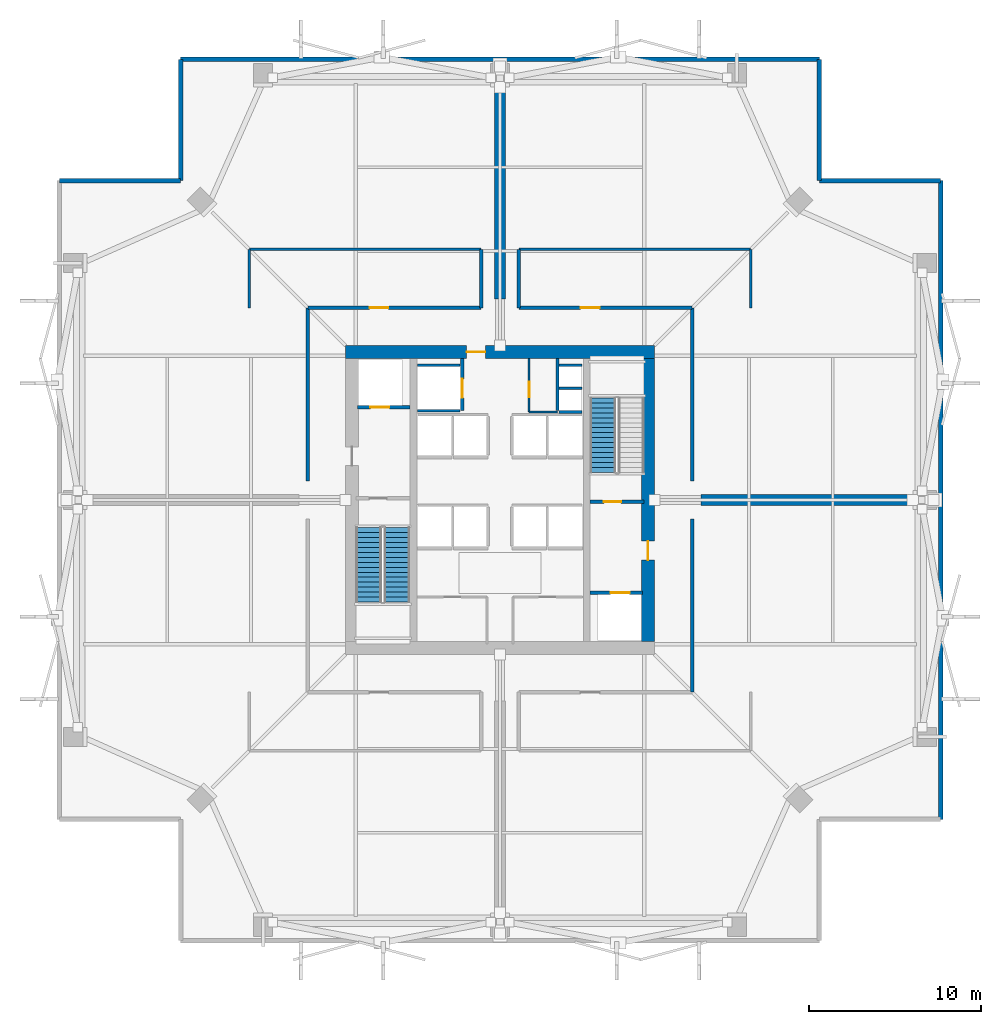
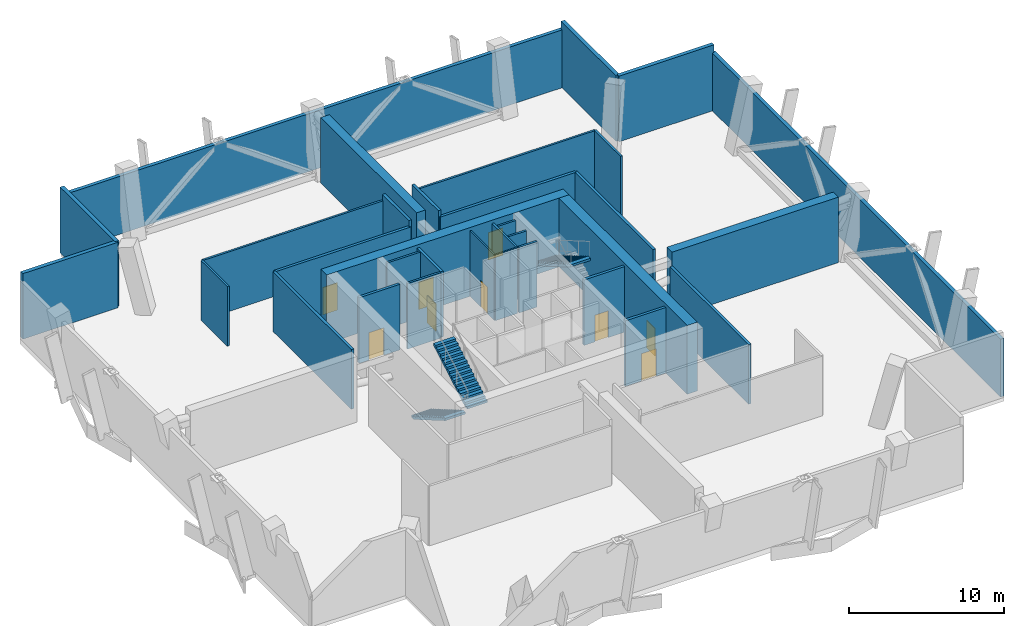
# One storey, part 4 of 6: 33 walls, 9 doors, 3 stair flights, 9 openings, 2 elements without a shape of their own.
"""IFC4 building model written with IfcOpenShell, lengths in metres."""

from ifc_helpers import new_model, si_unit, direction, frame, frame_2d, origin, place, context, subcontext, project, spatial, polyline, rectangle, outline, extrude, material, layer, layer_set, type_object, element, fill, aggregate, save


model = new_model("IFC4")

# Units and contexts
model_context = context("Model", 3, precision=1e-05, world=origin(), true_north=direction((0.0, 1.0)))
body_context = subcontext(model_context, "Body", "Model", "MODEL_VIEW")
ifc_project = project(units=[si_unit("LENGTHUNIT", "METRE"), si_unit("AREAUNIT", "SQUARE_METRE"), si_unit("VOLUMEUNIT", "CUBIC_METRE"), si_unit("PLANEANGLEUNIT", "RADIAN"), si_unit("MASSUNIT", "GRAM", prefix="KILO")], contexts=[model_context])

# Site, building, storey
site_placement = place(None, origin())
site = spatial("IfcSite", under=ifc_project, at=site_placement, CompositionType="ELEMENT")
building_placement = place(site_placement, origin())
building = spatial("IfcBuilding", under=site, at=building_placement, Name="Belovzor Exchange Tower", CompositionType="ELEMENT")
storey_placement = place(building_placement, frame((0.0, 0.0, 194.550048828125)))
storey = spatial("IfcBuildingStorey", under=building, at=storey_placement, Name="L48", CompositionType="ELEMENT", Elevation=194.550048828125)

# Wall, opening, door
ifc_material_1 = material(Name="Fire-Rated Plasterboard on Galvanised Studs", Category="gypsum")
ifc_layer_1 = layer(ifc_material_1, 0.1201171875)
ifc_layer_set_1 = layer_set([ifc_layer_1], Name="Fire-Rated Plasterboard on Galvanised Studs")
wall_type_1 = type_object("IfcWallType", Name="Fire-Rated Double-Stud Partition Wall 120", PredefinedType="PARTITIONING", material=ifc_layer_set_1)
wall_1_placement = place(storey_placement, frame((30.5, 33.925048828125, 0.0), z_axis=(0.0, 0.0, 1.0), x_axis=(0.0, 1.0, 0.0)))
wall_1 = element("IfcWall", 1, at=wall_1_placement, inside=storey, type_object=wall_type_1, Name="W-P120F Partition Wall W-CRV-L48-W", PredefinedType="PARTITIONING", context=body_context, shape_type="SweptSolid", body=[
    extrude(rectangle(XDim=3.125, YDim=0.1201171875, at=frame_2d((1.5625, 0.0))), origin(), (0.0, 0.0, 1.0), 5.14990234375),
])
opening_1_placement = place(wall_1_placement, frame((0.85009765625, 0.0, 0.0)))
opening_1 = element("IfcOpeningElement", 2, at=opening_1_placement, cuts=wall_1, Name="Opening D-FD60-090", PredefinedType="OPENING", context=body_context, shape_type="SweptSolid", body=[
    extrude(rectangle(XDim=0.89990234375, YDim=2.10009765625, at=frame_2d((0.449951171875, 1.050048828125))), frame((0.0, 0.070068359375, 0.0), z_axis=(0.0, -1.0, 0.0), x_axis=(1.0, 0.0, 0.0)), (0.0, 0.0, 1.0), 0.14013671875),
])
ifc_material_2 = material(Name="Acoustic Timber Fire Leaf", Category="wood")
door_type_1 = type_object("IfcDoorType", Name="Core Service & Restroom Fire Door 900x2100", OperationType="NOTDEFINED", PredefinedType="DOOR", material=ifc_material_2)
door_1_placement = place(opening_1_placement, origin())
door_1 = element("IfcDoor", 3, at=door_1_placement, inside=storey, type_object=door_type_1, Name="D-FD60-090 Core Service & Restroom Fire Door 900x2100", OperationType="SINGLE_SWING_LEFT", OverallHeight=2.10009765625, OverallWidth=0.89990234375, PredefinedType="DOOR", context=body_context, shape_type="SweptSolid", body=[
    extrude(rectangle(XDim=0.89990234375, YDim=2.10009765625, at=frame_2d((0.449951171875, 1.050048828125))), frame((0.0, 0.02490234375, 0.0), z_axis=(0.0, -1.0, 0.0), x_axis=(1.0, 0.0, 0.0)), (0.0, 0.0, 1.0), 0.050048828125),
])
fill(opening_1, door_1)

# Walls
wall_2_placement = place(storey_placement, frame((30.5, 33.925048828125, 0.0), z_axis=(0.0, 0.0, 1.0), x_axis=(1.0, 0.0, 0.0)))
element("IfcWall", 4, at=wall_2_placement, inside=storey, type_object=wall_type_1, Name="W-P120F Partition Wall W-CRV-L48-S", PredefinedType="PARTITIONING", context=body_context, shape_type="SweptSolid", body=[
    extrude(rectangle(XDim=1.64990234375, YDim=0.1201171875, at=frame_2d((0.824951171875, 0.0))), origin(), (0.0, 0.0, 1.0), 5.14990234375),
])
ifc_material_3 = material(Name="Fire-Rated Gypsum Block and Mineral Wool", Category="gypsum")
ifc_layer_2 = layer(ifc_material_3, 0.14990234375)
ifc_layer_set_2 = layer_set([ifc_layer_2], Name="Fire-Rated Gypsum Block and Mineral Wool")
wall_type_2 = type_object("IfcWallType", Name="Fire-Rated Gypsum Block Corridor Wall 150", PredefinedType="PARTITIONING", material=ifc_layer_set_2)
wall_3_placement = place(storey_placement, frame((14.199951171875, 40.0, 0.0), z_axis=(0.0, 0.0, 1.0), x_axis=(0.0, 1.0, 0.0)))
element("IfcWall", 5, at=wall_3_placement, inside=storey, type_object=wall_type_2, Name="W-P150 Partition Wall W-L48-Q3W", PredefinedType="PARTITIONING", context=body_context, shape_type="SweptSolid", body=[
    extrude(rectangle(XDim=3.39990234375, YDim=0.14990234375, at=frame_2d((1.699951171875, 0.0))), origin(), (0.0, 0.0, 1.0), 4.68505859375),
])
for number, where, z_axis, x_axis, name in (
    (6, (14.199951171875, 43.39990234375, 0.0), (0.0, 0.0, 1.0), (1.0, 0.0, 0.0), "W-P150 Partition Wall W-L48-Q3N"),
    (7, (29.89990234375, 43.39990234375, 0.0), (0.0, 0.0, 1.0), (1.0, 0.0, 0.0), "W-P150 Partition Wall W-L48-Q4N"),
):
    element("IfcWall", number, at=place(storey_placement, frame(where, z_axis=z_axis, x_axis=x_axis)), inside=storey, type_object=wall_type_2, Name=name, PredefinedType="PARTITIONING", context=body_context, shape_type="SweptSolid", body=[
        extrude(rectangle(XDim=13.5, YDim=0.14990234375, at=frame_2d((6.75, 0.0))), origin(), (0.0, 0.0, 1.0), 4.68505859375),
    ])
wall_4_placement = place(storey_placement, frame((43.39990234375, 40.0, 0.0), z_axis=(0.0, 0.0, 1.0), x_axis=(0.0, 1.0, 0.0)))
element("IfcWall", 8, at=wall_4_placement, inside=storey, type_object=wall_type_2, Name="W-P150 Partition Wall W-L48-Q4E", PredefinedType="PARTITIONING", context=body_context, shape_type="SweptSolid", body=[
    extrude(rectangle(XDim=3.39990234375, YDim=0.14990234375, at=frame_2d((1.699951171875, 0.0))), origin(), (0.0, 0.0, 1.0), 4.68505859375),
])
ifc_material_4 = material(Name="Precast concrete C40/50", Category="concrete")
ifc_layer_3 = layer(ifc_material_4, 0.280029296875)
ifc_layer_set_3 = layer_set([ifc_layer_3], Name="Precast concrete C40/50")
wall_type_3 = type_object("IfcWallType", Name="Precast Concrete Notched Corner Frame Wall 280", PredefinedType="SOLIDWALL", material=ifc_layer_set_3)
for number, where, z_axis, x_axis, name in (
    (9, (3.1298828125, 47.39990234375, 0.0), (0.0, 0.0, 1.0), (1.0, 0.0, 0.0), "W-CRN280 Precast Concrete Notched Corner Frame Wall 280 L48"),
    (10, (10.199951171875, 47.39990234375, 0.0), (0.0, 0.0, 1.0), (0.0, 1.0, 0.0), "W-CRN280 Precast Concrete Notched Corner Frame Wall 280 L48"),
    (11, (47.39990234375, 54.469970703125, 0.0), (0.0, 0.0, 1.0), (0.0, -1.0, 0.0), "W-CRN280 Precast Concrete Notched Corner Frame Wall 280 L48"),
    (12, (47.39990234375, 47.39990234375, 0.0), (0.0, 0.0, 1.0), (1.0, 0.0, 0.0), "W-CRN280 Precast Concrete Notched Corner Frame Wall 280 L48"),
):
    element("IfcWall", number, at=place(storey_placement, frame(where, z_axis=z_axis, x_axis=x_axis)), inside=storey, type_object=wall_type_3, Name=name, PredefinedType="SOLIDWALL", context=body_context, shape_type="SweptSolid", body=[
        extrude(rectangle(XDim=7.070068359375, YDim=0.280029296875, at=frame_2d((3.53515625, 0.0))), origin(), (0.0, 0.0, 1.0), 5.14990234375),
    ])
ifc_material_5 = material(Name="Precast concrete C40/50", Category="concrete")
ifc_layer_4 = layer(ifc_material_5, 0.260009765625)
ifc_layer_set_4 = layer_set([ifc_layer_4], Name="Precast concrete C40/50")
wall_type_4 = type_object("IfcWallType", Name="Precast Concrete Perimeter Loggia Frame Wall 260", PredefinedType="SOLIDWALL", material=ifc_layer_set_4)
for number, where, z_axis, x_axis, name in (
    (13, (10.199951171875, 54.469970703125, 0.0), (0.0, 0.0, 1.0), (1.0, 0.0, 0.0), "W-EXT260 Precast Concrete Perimeter Loggia Frame Wall 260 L48"),
    (14, (54.469970703125, 47.39990234375, 0.0), (0.0, 0.0, 1.0), (0.0, -1.0, 0.0), "W-EXT260 Precast Concrete Perimeter Loggia Frame Wall 260 L48"),
):
    element("IfcWall", number, at=place(storey_placement, frame(where, z_axis=z_axis, x_axis=x_axis)), inside=storey, type_object=wall_type_4, Name=name, PredefinedType="SOLIDWALL", context=body_context, shape_type="SweptSolid", body=[
        extrude(rectangle(XDim=37.199951171875, YDim=0.260009765625, at=frame_2d((18.60009765625, 0.0))), origin(), (0.0, 0.0, 1.0), 4.550048828125),
    ])

# Wall, opening, door
ifc_material_6 = material(Name="Concrete C40/50", Category="concrete")
ifc_layer_5 = layer(ifc_material_6, 0.199951171875)
ifc_layer_set_5 = layer_set([ifc_layer_5], Name="Concrete C40/50")
wall_type_5 = type_object("IfcWallType", Name="Reinforced Concrete Compartment Wall 200", PredefinedType="PARTITIONING", material=ifc_layer_set_5)
wall_5_placement = place(storey_placement, frame((17.60009765625, 40.0, 0.0), z_axis=(0.0, 0.0, 1.0), x_axis=(1.0, 0.0, 0.0)))
wall_5 = element("IfcWall", 15, at=wall_5_placement, inside=storey, type_object=wall_type_5, Name="W-C200 Partition Wall W-L48-PCN", PredefinedType="PARTITIONING", context=body_context, shape_type="SweptSolid", body=[
    extrude(rectangle(XDim=10.099853515625, YDim=0.199951171875, at=frame_2d((5.0498046875, 0.0))), origin(), (0.0, 0.0, 1.0), 4.68505859375),
])
opening_2_placement = place(wall_5_placement, frame((3.60009765625, 0.0, 0.0)))
opening_2 = element("IfcOpeningElement", 16, at=opening_2_placement, cuts=wall_5, Name="Opening D-FD90-110", PredefinedType="OPENING", context=body_context, shape_type="SweptSolid", body=[
    extrude(rectangle(XDim=1.10009765625, YDim=2.14990234375, at=frame_2d((0.550048828125, 1.074951171875))), frame((0.0, 0.10986328125, 0.0), z_axis=(0.0, -1.0, 0.0), x_axis=(1.0, 0.0, 0.0)), (0.0, 0.0, 1.0), 0.219970703125),
])
ifc_material_7 = material(Name="Fire-Rated Galvanised Steel Leaf", Category="steel")
door_type_2 = type_object("IfcDoorType", Name="Protected Escape Vestibule Fire Door 1100x2150", OperationType="NOTDEFINED", PredefinedType="DOOR", material=ifc_material_7)
door_2_placement = place(opening_2_placement, origin())
door_2 = element("IfcDoor", 17, at=door_2_placement, inside=storey, type_object=door_type_2, Name="D-FD90-110 Protected Escape Vestibule Fire Door 1100x2150", OperationType="SINGLE_SWING_LEFT", OverallHeight=2.14990234375, OverallWidth=1.10009765625, PredefinedType="DOOR", context=body_context, shape_type="SweptSolid", body=[
    extrude(rectangle(XDim=1.10009765625, YDim=2.14990234375, at=frame_2d((0.550048828125, 1.074951171875))), frame((0.0, 0.02490234375, 0.0), z_axis=(0.0, -1.0, 0.0), x_axis=(1.0, 0.0, 0.0)), (0.0, 0.0, 1.0), 0.050048828125),
])
fill(opening_2, door_2)

wall_6_placement = place(storey_placement, frame((29.89990234375, 40.0, 0.0), z_axis=(0.0, 0.0, 1.0), x_axis=(1.0, 0.0, 0.0)))
wall_6 = element("IfcWall", 18, at=wall_6_placement, inside=storey, type_object=wall_type_5, Name="W-C200 Partition Wall W-L48-PCN2", PredefinedType="PARTITIONING", context=body_context, shape_type="SweptSolid", body=[
    extrude(rectangle(XDim=10.10009765625, YDim=0.199951171875, at=frame_2d((5.050048828125, 0.0))), origin(), (0.0, 0.0, 1.0), 4.68505859375),
])
opening_3_placement = place(wall_6_placement, frame((3.60009765625, 0.0, 0.0)))
opening_3 = element("IfcOpeningElement", 19, at=opening_3_placement, cuts=wall_6, Name="Opening D-FD90-110", PredefinedType="OPENING", context=body_context, shape_type="SweptSolid", body=[
    extrude(rectangle(XDim=1.10009765625, YDim=2.14990234375, at=frame_2d((0.550048828125, 1.074951171875))), frame((0.0, 0.10986328125, 0.0), z_axis=(0.0, -1.0, 0.0), x_axis=(1.0, 0.0, 0.0)), (0.0, 0.0, 1.0), 0.219970703125),
])
door_3_placement = place(opening_3_placement, origin())
door_3 = element("IfcDoor", 20, at=door_3_placement, inside=storey, type_object=door_type_2, Name="D-FD90-110 Protected Escape Vestibule Fire Door 1100x2150", OperationType="SINGLE_SWING_RIGHT", OverallHeight=2.14990234375, OverallWidth=1.10009765625, PredefinedType="DOOR", context=body_context, shape_type="SweptSolid", body=[
    extrude(rectangle(XDim=1.10009765625, YDim=2.14990234375, at=frame_2d((0.550048828125, 1.074951171875))), frame((0.0, 0.02490234375, 0.0), z_axis=(0.0, -1.0, 0.0), x_axis=(1.0, 0.0, 0.0)), (0.0, 0.0, 1.0), 0.050048828125),
])
fill(opening_3, door_3)

# Walls
wall_7_placement = place(storey_placement, frame((17.60009765625, 29.89990234375, 0.0), z_axis=(0.0, 0.0, 1.0), x_axis=(0.0, 1.0, 0.0)))
element("IfcWall", 21, at=wall_7_placement, inside=storey, type_object=wall_type_5, Name="W-C200 Partition Wall W-L48-PCW2", PredefinedType="PARTITIONING", context=body_context, shape_type="SweptSolid", body=[
    extrude(rectangle(XDim=10.10009765625, YDim=0.199951171875, at=frame_2d((5.050048828125, 0.0))), origin(), (0.0, 0.0, 1.0), 4.68505859375),
])
wall_8_placement = place(storey_placement, frame((40.0, 17.60009765625, 0.0), z_axis=(0.0, 0.0, 1.0), x_axis=(0.0, 1.0, 0.0)))
element("IfcWall", 22, at=wall_8_placement, inside=storey, type_object=wall_type_5, Name="W-C200 Partition Wall W-L48-PCE1", PredefinedType="PARTITIONING", context=body_context, shape_type="SweptSolid", body=[
    extrude(rectangle(XDim=10.099853515625, YDim=0.199951171875, at=frame_2d((5.0498046875, 0.0))), origin(), (0.0, 0.0, 1.0), 4.68505859375),
])
wall_9_placement = place(storey_placement, frame((40.0, 29.89990234375, 0.0), z_axis=(0.0, 0.0, 1.0), x_axis=(0.0, 1.0, 0.0)))
element("IfcWall", 23, at=wall_9_placement, inside=storey, type_object=wall_type_5, Name="W-C200 Partition Wall W-L48-PCE2", PredefinedType="PARTITIONING", context=body_context, shape_type="SweptSolid", body=[
    extrude(rectangle(XDim=10.10009765625, YDim=0.199951171875, at=frame_2d((5.050048828125, 0.0))), origin(), (0.0, 0.0, 1.0), 4.68505859375),
])
for number, where, z_axis, x_axis, name in (
    (24, (27.699951171875, 40.0, 0.0), (0.0, 0.0, 1.0), (0.0, 1.0, 0.0), "W-C200 Partition Wall W-L48-Q3E"),
    (25, (29.89990234375, 40.0, 0.0), (0.0, 0.0, 1.0), (0.0, 1.0, 0.0), "W-C200 Partition Wall W-L48-Q4W"),
):
    element("IfcWall", number, at=place(storey_placement, frame(where, z_axis=z_axis, x_axis=x_axis)), inside=storey, type_object=wall_type_5, Name=name, PredefinedType="PARTITIONING", context=body_context, shape_type="SweptSolid", body=[
        extrude(rectangle(XDim=3.39990234375, YDim=0.199951171875, at=frame_2d((1.699951171875, 0.0))), origin(), (0.0, 0.0, 1.0), 5.14990234375),
    ])
ifc_material_8 = material(Name="Concrete C50/60", Category="concrete")
ifc_layer_6 = layer(ifc_material_8, 0.14990234375)
ifc_layer_set_6 = layer_set([ifc_layer_6], Name="Concrete C50/60")
wall_type_6 = type_object("IfcWallType", Name="Reinforced Concrete Core Riser Shear Wall 150", PredefinedType="SHEAR", material=ifc_layer_set_6)
wall_10_placement = place(storey_placement, frame((32.14990234375, 34.0, 0.0), z_axis=(0.0, 0.0, 1.0), x_axis=(0.0, 1.0, 0.0)))
element("IfcWall", 26, at=wall_10_placement, inside=storey, type_object=wall_type_6, Name="W-C150S Core Shaft Wall W-RSR-L48-E", PredefinedType="SHEAR", context=body_context, shape_type="SweptSolid", body=[
    extrude(rectangle(XDim=3.050048828125, YDim=0.14990234375, at=frame_2d((1.52490234375, 0.0))), origin(), (0.0, 0.0, 1.0), 5.14990234375),
])
for number, where, z_axis, x_axis, name in (
    (27, (32.25, 33.925048828125, 0.0), (0.0, 0.0, 1.0), (1.0, 0.0, 0.0), "W-C150S Core Shaft Wall W-RSR-L48-S"),
    (28, (32.25, 35.300048828125, 0.0), (0.0, 0.0, 1.0), (1.0, 0.0, 0.0), "W-C150S Core Shaft Wall W-RSR-L48-M"),
):
    element("IfcWall", number, at=place(storey_placement, frame(where, z_axis=z_axis, x_axis=x_axis)), inside=storey, type_object=wall_type_6, Name=name, PredefinedType="SHEAR", context=body_context, shape_type="SweptSolid", body=[
        extrude(rectangle(XDim=1.330078125, YDim=0.14990234375, at=frame_2d((0.6650390625, 0.0))), origin(), (0.0, 0.0, 1.0), 5.14990234375),
    ])
for number, where, z_axis, x_axis, name in (
    (29, (24.0, 34.0, 0.0), (0.0, 0.0, 1.0), (1.0, 0.0, 0.0), "W-C150S Core Shaft Wall W-SH-L48-SL-01S"),
    (30, (24.0, 36.64990234375, 0.0), (0.0, 0.0, 1.0), (1.0, 0.0, 0.0), "W-C150S Core Shaft Wall W-SH-L48-SL-01N"),
):
    element("IfcWall", number, at=place(storey_placement, frame(where, z_axis=z_axis, x_axis=x_axis)), inside=storey, type_object=wall_type_6, Name=name, PredefinedType="SHEAR", context=body_context, shape_type="SweptSolid", body=[
        extrude(rectangle(XDim=2.47998046875, YDim=0.14990234375, at=frame_2d((1.239990234375, 0.0))), origin(), (0.0, 0.0, 1.0), 5.14990234375),
    ])
wall_11_placement = place(storey_placement, frame((32.25, 36.64990234375, 0.0), z_axis=(0.0, 0.0, 1.0), x_axis=(1.0, 0.0, 0.0)))
element("IfcWall", 31, at=wall_11_placement, inside=storey, type_object=wall_type_6, Name="W-C150S Core Shaft Wall W-RSR-L48-N", PredefinedType="SHEAR", context=body_context, shape_type="SweptSolid", body=[
    extrude(rectangle(XDim=1.330078125, YDim=0.14990234375, at=frame_2d((0.6650390625, 0.0))), origin(), (0.0, 0.0, 1.0), 5.14990234375),
])

# Wall, opening, door
ifc_material_9 = material(Name="Concrete C50/60", Category="concrete")
ifc_layer_7 = layer(ifc_material_9, 0.199951171875)
ifc_layer_set_7 = layer_set([ifc_layer_7], Name="Concrete C50/60")
wall_type_7 = type_object("IfcWallType", Name="Reinforced Concrete Core Shaft Shear Wall 200", PredefinedType="SHEAR", material=ifc_layer_set_7)
wall_12_placement = place(storey_placement, frame((34.050048828125, 28.699951171875, 0.0), z_axis=(0.0, 0.0, 1.0), x_axis=(1.0, 0.0, 0.0)))
wall_12 = element("IfcWall", 32, at=wall_12_placement, inside=storey, type_object=wall_type_7, Name="W-C200S Core Shaft Wall W-CORE-L48-FFLE2", PredefinedType="SHEAR", context=body_context, shape_type="SweptSolid", body=[
    extrude(rectangle(XDim=3.14990234375, YDim=0.199951171875, at=frame_2d((1.574951171875, 0.0))), origin(), (0.0, 0.0, 1.0), 5.14990234375),
])
opening_4_placement = place(wall_12_placement, frame((0.800048828125, 0.0, 0.0)))
opening_4 = element("IfcOpeningElement", 33, at=opening_4_placement, cuts=wall_12, Name="Opening D-FD90-100", PredefinedType="OPENING", context=body_context, shape_type="SweptSolid", body=[
    extrude(rectangle(XDim=1.0, YDim=2.10009765625, at=frame_2d((0.5, 1.050048828125))), frame((0.0, 0.10986328125, 0.0), z_axis=(0.0, -1.0, 0.0), x_axis=(1.0, 0.0, 0.0)), (0.0, 0.0, 1.0), 0.219970703125),
])
ifc_material_10 = material(Name="Fire-Rated Galvanised Steel Leaf", Category="steel")
door_type_3 = type_object("IfcDoorType", Name="Protected Stairwell Single Fire Door 1000x2100", OperationType="NOTDEFINED", PredefinedType="DOOR", material=ifc_material_10)
door_4_placement = place(opening_4_placement, origin())
door_4 = element("IfcDoor", 34, at=door_4_placement, inside=storey, type_object=door_type_3, Name="D-FD90-100 Protected Stairwell Single Fire Door 1000x2100", OperationType="SINGLE_SWING_LEFT", OverallHeight=2.10009765625, OverallWidth=1.0, PredefinedType="DOOR", context=body_context, shape_type="SweptSolid", body=[
    extrude(rectangle(XDim=1.0, YDim=2.10009765625, at=frame_2d((0.5, 1.050048828125))), frame((0.0, 0.02490234375, 0.0), z_axis=(0.0, -1.0, 0.0), x_axis=(1.0, 0.0, 0.0)), (0.0, 0.0, 1.0), 0.050048828125),
])
fill(opening_4, door_4)

wall_13_placement = place(storey_placement, frame((20.5, 34.199951171875, 0.0), z_axis=(0.0, 0.0, 1.0), x_axis=(1.0, 0.0, 0.0)))
wall_13 = element("IfcWall", 35, at=wall_13_placement, inside=storey, type_object=wall_type_7, Name="W-C200S Core Shaft Wall W-SH-L48-FFL-01", PredefinedType="SHEAR", context=body_context, shape_type="SweptSolid", body=[
    extrude(rectangle(XDim=3.050048828125, YDim=0.199951171875, at=frame_2d((1.52490234375, 0.0))), origin(), (0.0, 0.0, 1.0), 5.14990234375),
])
opening_5_placement = place(wall_13_placement, frame((0.75, 0.0, 0.0)))
opening_5 = element("IfcOpeningElement", 36, at=opening_5_placement, cuts=wall_13, Name="Opening LD-110", PredefinedType="OPENING", context=body_context, shape_type="SweptSolid", body=[
    extrude(rectangle(XDim=1.10009765625, YDim=2.14990234375, at=frame_2d((0.550048828125, 1.074951171875))), frame((0.0, 0.10986328125, 0.0), z_axis=(0.0, -1.0, 0.0), x_axis=(1.0, 0.0, 0.0)), (0.0, 0.0, 1.0), 0.219970703125),
])
ifc_material_11 = material(Name="Stainless Steel Grade 304", Category="steel")
door_type_4 = type_object("IfcDoorType", Name="Automated Stainless Steel Lift Landing Door 1100x2150", OperationType="SLIDING_TO_RIGHT", PredefinedType="DOOR", material=ifc_material_11)
door_5_placement = place(opening_5_placement, origin())
door_5 = element("IfcDoor", 37, at=door_5_placement, inside=storey, type_object=door_type_4, Name="LD-110 Automated Stainless Steel Lift Landing Door 1100x2150", OperationType="SLIDING_TO_RIGHT", OverallHeight=2.14990234375, OverallWidth=1.10009765625, PredefinedType="DOOR", context=body_context, shape_type="SweptSolid", body=[
    extrude(rectangle(XDim=1.10009765625, YDim=2.14990234375, at=frame_2d((0.550048828125, 1.074951171875))), frame((0.0, 0.02490234375, 0.0), z_axis=(0.0, -1.0, 0.0), x_axis=(1.0, 0.0, 0.0)), (0.0, 0.0, 1.0), 0.050048828125),
])
fill(opening_5, door_5)

wall_14_placement = place(storey_placement, frame((34.050048828125, 23.39990234375, 0.0), z_axis=(0.0, 0.0, 1.0), x_axis=(1.0, 0.0, 0.0)))
wall_14 = element("IfcWall", 38, at=wall_14_placement, inside=storey, type_object=wall_type_7, Name="W-C200S Core Shaft Wall W-SH-L48-FFL-02", PredefinedType="SHEAR", context=body_context, shape_type="SweptSolid", body=[
    extrude(rectangle(XDim=3.050048828125, YDim=0.199951171875, at=frame_2d((1.52490234375, 0.0))), origin(), (0.0, 0.0, 1.0), 5.14990234375),
])
opening_6_placement = place(wall_14_placement, frame((1.199951171875, 0.0, 0.0)))
opening_6 = element("IfcOpeningElement", 39, at=opening_6_placement, cuts=wall_14, Name="Opening LD-110", PredefinedType="OPENING", context=body_context, shape_type="SweptSolid", body=[
    extrude(rectangle(XDim=1.10009765625, YDim=2.14990234375, at=frame_2d((0.550048828125, 1.074951171875))), frame((0.0, 0.10986328125, 0.0), z_axis=(0.0, -1.0, 0.0), x_axis=(1.0, 0.0, 0.0)), (0.0, 0.0, 1.0), 0.219970703125),
])
door_6_placement = place(opening_6_placement, origin())
door_6 = element("IfcDoor", 40, at=door_6_placement, inside=storey, type_object=door_type_4, Name="LD-110 Automated Stainless Steel Lift Landing Door 1100x2150", OperationType="SLIDING_TO_RIGHT", OverallHeight=2.14990234375, OverallWidth=1.10009765625, PredefinedType="DOOR", context=body_context, shape_type="SweptSolid", body=[
    extrude(rectangle(XDim=1.10009765625, YDim=2.14990234375, at=frame_2d((0.550048828125, 1.074951171875))), frame((0.0, 0.02490234375, 0.0), z_axis=(0.0, -1.0, 0.0), x_axis=(1.0, 0.0, 0.0)), (0.0, 0.0, 1.0), 0.050048828125),
])
fill(opening_6, door_6)

wall_15_placement = place(storey_placement, frame((26.60009765625, 34.0, 0.0), z_axis=(0.0, 0.0, 1.0), x_axis=(0.0, 1.0, 0.0)))
wall_15 = element("IfcWall", 41, at=wall_15_placement, inside=storey, type_object=wall_type_7, Name="W-C200S Core Shaft Wall W-SH-L48-SL-01", PredefinedType="SHEAR", context=body_context, shape_type="SweptSolid", body=[
    extrude(rectangle(XDim=3.050048828125, YDim=0.199951171875, at=frame_2d((1.52490234375, 0.0))), origin(), (0.0, 0.0, 1.0), 5.14990234375),
])
opening_7_placement = place(wall_15_placement, frame((0.75, 0.0, 0.0)))
opening_7 = element("IfcOpeningElement", 42, at=opening_7_placement, cuts=wall_15, Name="Opening LD-110", PredefinedType="OPENING", context=body_context, shape_type="SweptSolid", body=[
    extrude(rectangle(XDim=1.10009765625, YDim=2.14990234375, at=frame_2d((0.550048828125, 1.074951171875))), frame((0.0, 0.10986328125, 0.0), z_axis=(0.0, -1.0, 0.0), x_axis=(1.0, 0.0, 0.0)), (0.0, 0.0, 1.0), 0.219970703125),
])
door_7_placement = place(opening_7_placement, origin())
door_7 = element("IfcDoor", 43, at=door_7_placement, inside=storey, type_object=door_type_4, Name="LD-110 Automated Stainless Steel Lift Landing Door 1100x2150", OperationType="SLIDING_TO_RIGHT", OverallHeight=2.14990234375, OverallWidth=1.10009765625, PredefinedType="DOOR", context=body_context, shape_type="SweptSolid", body=[
    extrude(rectangle(XDim=1.10009765625, YDim=2.14990234375, at=frame_2d((0.550048828125, 1.074951171875))), frame((0.0, 0.02490234375, 0.0), z_axis=(0.0, -1.0, 0.0), x_axis=(1.0, 0.0, 0.0)), (0.0, 0.0, 1.0), 0.050048828125),
])
fill(opening_7, door_7)

ifc_material_12 = material(Name="Concrete C50/60", Category="concrete")
ifc_layer_8 = layer(ifc_material_12, 0.75)
ifc_layer_set_8 = layer_set([ifc_layer_8], Name="Concrete C50/60")
wall_type_8 = type_object("IfcWallType", Name="Reinforced Concrete Core Shear Wall 750", PredefinedType="SHEAR", material=ifc_layer_set_8)
wall_16_placement = place(storey_placement, frame((19.800048828125, 37.425048828125, 0.0), z_axis=(0.0, 0.0, 1.0), x_axis=(1.0, 0.0, 0.0)))
wall_16 = element("IfcWall", 44, at=wall_16_placement, inside=storey, type_object=wall_type_8, Name="CW-S075 Core Shear Wall L48 N", PredefinedType="SHEAR", context=body_context, shape_type="SweptSolid", body=[
    extrude(rectangle(XDim=18.0, YDim=0.75, at=frame_2d((9.0, 0.0))), origin(), (0.0, 0.0, 1.0), 5.39990234375),
])
opening_8_placement = place(wall_16_placement, frame((7.050048828125, 0.0, 0.0)))
opening_8 = element("IfcOpeningElement", 45, at=opening_8_placement, cuts=wall_16, Name="Opening D-FD90-110", PredefinedType="OPENING", context=body_context, shape_type="SweptSolid", body=[
    extrude(rectangle(XDim=1.10009765625, YDim=2.14990234375, at=frame_2d((0.550048828125, 1.074951171875))), frame((0.0, 0.385009765625, 0.0), z_axis=(0.0, -1.0, 0.0), x_axis=(1.0, 0.0, 0.0)), (0.0, 0.0, 1.0), 0.77001953125),
])
door_8_placement = place(opening_8_placement, origin())
door_8 = element("IfcDoor", 46, at=door_8_placement, inside=storey, type_object=door_type_2, Name="D-FD90-110 Protected Escape Vestibule Fire Door 1100x2150", OperationType="SINGLE_SWING_LEFT", OverallHeight=2.14990234375, OverallWidth=1.10009765625, PredefinedType="DOOR", context=body_context, shape_type="SweptSolid", body=[
    extrude(rectangle(XDim=1.10009765625, YDim=2.14990234375, at=frame_2d((0.550048828125, 1.074951171875))), frame((0.0, 0.02490234375, 0.0), z_axis=(0.0, -1.0, 0.0), x_axis=(1.0, 0.0, 0.0)), (0.0, 0.0, 1.0), 0.050048828125),
])
fill(opening_8, door_8)

wall_17_placement = place(storey_placement, frame((37.425048828125, 20.550048828125, 0.0), z_axis=(0.0, 0.0, 1.0), x_axis=(0.0, 1.0, 0.0)))
wall_17 = element("IfcWall", 47, at=wall_17_placement, inside=storey, type_object=wall_type_8, Name="CW-S075 Core Shear Wall L48 E", PredefinedType="SHEAR", context=body_context, shape_type="SweptSolid", body=[
    extrude(rectangle(XDim=16.5, YDim=0.75, at=frame_2d((8.25, 0.0))), origin(), (0.0, 0.0, 1.0), 5.39990234375),
])
opening_9_placement = place(wall_17_placement, frame((4.75, 0.0, 0.0)))
opening_9 = element("IfcOpeningElement", 48, at=opening_9_placement, cuts=wall_17, Name="Opening D-FD90-110", PredefinedType="OPENING", context=body_context, shape_type="SweptSolid", body=[
    extrude(rectangle(XDim=1.10009765625, YDim=2.14990234375, at=frame_2d((0.550048828125, 1.074951171875))), frame((0.0, 0.385009765625, 0.0), z_axis=(0.0, -1.0, 0.0), x_axis=(1.0, 0.0, 0.0)), (0.0, 0.0, 1.0), 0.77001953125),
])
door_9_placement = place(opening_9_placement, origin())
door_9 = element("IfcDoor", 49, at=door_9_placement, inside=storey, type_object=door_type_2, Name="D-FD90-110 Protected Escape Vestibule Fire Door 1100x2150", OperationType="SINGLE_SWING_RIGHT", OverallHeight=2.14990234375, OverallWidth=1.10009765625, PredefinedType="DOOR", context=body_context, shape_type="SweptSolid", body=[
    extrude(rectangle(XDim=1.10009765625, YDim=2.14990234375, at=frame_2d((0.550048828125, 1.074951171875))), frame((0.0, 0.02490234375, 0.0), z_axis=(0.0, -1.0, 0.0), x_axis=(1.0, 0.0, 0.0)), (0.0, 0.0, 1.0), 0.050048828125),
])
fill(opening_9, door_9)

# Walls
ifc_material_13 = material(Name="Concrete C50/60", Category="concrete")
ifc_layer_9 = layer(ifc_material_13, 0.64990234375)
ifc_layer_set_9 = layer_set([ifc_layer_9], Name="Concrete C50/60")
wall_type_9 = type_object("IfcWallType", Name="Reinforced Concrete Outrigger Shear Wall 650", PredefinedType="SHEAR", material=ifc_layer_set_9)
for number, where, z_axis, x_axis, name in (
    (50, (28.800048828125, 40.5, 0.0), (0.0, 0.0, 1.0), (0.0, 1.0, 0.0), "OW-065 Outrigger Shear Wall L48 N"),
    (51, (40.5, 28.800048828125, 0.0), (0.0, 0.0, 1.0), (1.0, 0.0, 0.0), "OW-065 Outrigger Shear Wall L48 E"),
):
    element("IfcWall", number, at=place(storey_placement, frame(where, z_axis=z_axis, x_axis=x_axis)), inside=storey, type_object=wall_type_9, Name=name, PredefinedType="SHEAR", context=body_context, shape_type="SweptSolid", body=[
        extrude(rectangle(XDim=12.35009765625, YDim=0.64990234375, at=frame_2d((6.175048828125, 0.0))), origin(), (0.0, 0.0, 1.0), 5.14990234375),
    ])

# Stair, stair flights
ifc_material_14 = material(Name="Concrete C40/50", Category="concrete")
stair_type = type_object("IfcStairType", Name="Reinforced Concrete Dogleg Escape Stair 1350", PredefinedType="HALF_TURN_STAIR", material=ifc_material_14)
stair_1_placement = place(storey_placement, origin())
stair_1 = element("IfcStair", 52, at=stair_1_placement, inside=storey, type_object=stair_type, Name="L48 ST-1", PredefinedType="HALF_TURN_STAIR")
ifc_material_15 = material(Name="Concrete C40/50", Category="concrete")
stair_flight_type = type_object("IfcStairFlightType", Name="Reinforced Concrete Stair Flight 1350", PredefinedType="STRAIGHT", material=ifc_material_15)
stair_flight_1_placement = place(storey_placement, frame((21.14990234375, 27.199951171875, 0.0), z_axis=(0.0, 0.0, 1.0), x_axis=(0.0, -1.0, 0.0)))
stair_flight_1 = element("IfcStairFlight", 53, at=stair_flight_1_placement, type_object=stair_flight_type, Name="ST-1 flight 1", NumberOfRisers=16, NumberOfTreads=15, PredefinedType="STRAIGHT", RiserHeight=0.16875, TreadLength=0.29, context=body_context, shape_type="SweptSolid", body=[
    extrude(outline(polyline([(0.0, 0.0), (0.0, 0.168701171875), (0.2900390625, 0.168701171875), (0.2900390625, 0.33740234375), (0.580078125, 0.33740234375), (0.580078125, 0.50634765625), (0.8701171875, 0.50634765625), (0.8701171875, 0.675048828125), (1.159912109375, 0.675048828125), (1.159912109375, 0.84375), (1.449951171875, 0.84375), (1.449951171875, 1.012451171875), (1.739990234375, 1.012451171875), (1.739990234375, 1.18115234375), (2.030029296875, 1.18115234375), (2.030029296875, 1.35009765625), (2.320068359375, 1.35009765625), (2.320068359375, 1.518798828125), (2.610107421875, 1.518798828125), (2.610107421875, 1.6875), (2.89990234375, 1.6875), (2.89990234375, 1.856201171875), (3.18994140625, 1.856201171875), (3.18994140625, 2.02490234375), (3.47998046875, 2.02490234375), (3.47998046875, 2.19384765625), (3.77001953125, 2.19384765625), (3.77001953125, 2.362548828125), (4.06005859375, 2.362548828125), (4.06005859375, 2.53125), (4.35009765625, 2.53125), (4.35009765625, 2.699951171875), (4.35009765625, 2.35791015625), (0.298095703125, 0.0), (0.0, 0.0)])), frame((0.0, 0.75, 0.0), z_axis=(0.0, -1.0, 0.0), x_axis=(1.0, 0.0, 0.0)), (0.0, 0.0, 1.0), 1.5),
])
stair_flight_2_placement = place(storey_placement, frame((22.800048828125, 22.85009765625, 2.699951171875), z_axis=(0.0, 0.0, 1.0), x_axis=(0.0, 1.0, 0.0)))
stair_flight_2 = element("IfcStairFlight", 54, at=stair_flight_2_placement, type_object=stair_flight_type, Name="ST-1 flight 2", NumberOfRisers=16, NumberOfTreads=15, PredefinedType="STRAIGHT", RiserHeight=0.16875, TreadLength=0.29, context=body_context, shape_type="SweptSolid", body=[
    extrude(outline(polyline([(0.0, 0.0), (0.0, 0.168701171875), (0.2900390625, 0.168701171875), (0.2900390625, 0.33740234375), (0.580078125, 0.33740234375), (0.580078125, 0.50634765625), (0.8701171875, 0.50634765625), (0.8701171875, 0.675048828125), (1.159912109375, 0.675048828125), (1.159912109375, 0.84375), (1.449951171875, 0.84375), (1.449951171875, 1.012451171875), (1.739990234375, 1.012451171875), (1.739990234375, 1.18115234375), (2.030029296875, 1.18115234375), (2.030029296875, 1.35009765625), (2.320068359375, 1.35009765625), (2.320068359375, 1.518798828125), (2.610107421875, 1.518798828125), (2.610107421875, 1.6875), (2.89990234375, 1.6875), (2.89990234375, 1.856201171875), (3.18994140625, 1.856201171875), (3.18994140625, 2.02490234375), (3.47998046875, 2.02490234375), (3.47998046875, 2.19384765625), (3.77001953125, 2.19384765625), (3.77001953125, 2.362548828125), (4.06005859375, 2.362548828125), (4.06005859375, 2.53125), (4.35009765625, 2.53125), (4.35009765625, 2.699951171875), (4.35009765625, 2.35791015625), (0.298095703125, 0.0), (0.0, 0.0)])), frame((0.0, 0.75, 0.0), z_axis=(0.0, -1.0, 0.0), x_axis=(1.0, 0.0, 0.0)), (0.0, 0.0, 1.0), 1.5),
])
aggregate(stair_1, [stair_flight_1, stair_flight_2])

# Stair, stair flight
stair_2_placement = place(storey_placement, origin())
stair_2 = element("IfcStair", 55, at=stair_2_placement, inside=storey, type_object=stair_type, Name="L48 ST-2", PredefinedType="HALF_TURN_STAIR")
stair_flight_3_placement = place(storey_placement, frame((34.800048828125, 34.75, 2.699951171875), z_axis=(0.0, 0.0, 1.0), x_axis=(0.0, -1.0, 0.0)))
stair_flight_3 = element("IfcStairFlight", 56, at=stair_flight_3_placement, type_object=stair_flight_type, Name="ST-2 flight 2", NumberOfRisers=16, NumberOfTreads=15, PredefinedType="STRAIGHT", RiserHeight=0.16875, TreadLength=0.29, context=body_context, shape_type="SweptSolid", body=[
    extrude(outline(polyline([(0.0, 0.0), (0.0, 0.168701171875), (0.2900390625, 0.168701171875), (0.2900390625, 0.33740234375), (0.580078125, 0.33740234375), (0.580078125, 0.50634765625), (0.8701171875, 0.50634765625), (0.8701171875, 0.675048828125), (1.159912109375, 0.675048828125), (1.159912109375, 0.84375), (1.449951171875, 0.84375), (1.449951171875, 1.012451171875), (1.739990234375, 1.012451171875), (1.739990234375, 1.18115234375), (2.030029296875, 1.18115234375), (2.030029296875, 1.35009765625), (2.320068359375, 1.35009765625), (2.320068359375, 1.518798828125), (2.610107421875, 1.518798828125), (2.610107421875, 1.6875), (2.89990234375, 1.6875), (2.89990234375, 1.856201171875), (3.18994140625, 1.856201171875), (3.18994140625, 2.02490234375), (3.47998046875, 2.02490234375), (3.47998046875, 2.19384765625), (3.77001953125, 2.19384765625), (3.77001953125, 2.362548828125), (4.06005859375, 2.362548828125), (4.06005859375, 2.53125), (4.35009765625, 2.53125), (4.35009765625, 2.699951171875), (4.35009765625, 2.35791015625), (0.298095703125, 0.0), (0.0, 0.0)])), frame((0.0, 0.75, 0.0), z_axis=(0.0, -1.0, 0.0), x_axis=(1.0, 0.0, 0.0)), (0.0, 0.0, 1.0), 1.5),
])
aggregate(stair_2, [stair_flight_3])

save(model, "model.ifc")
